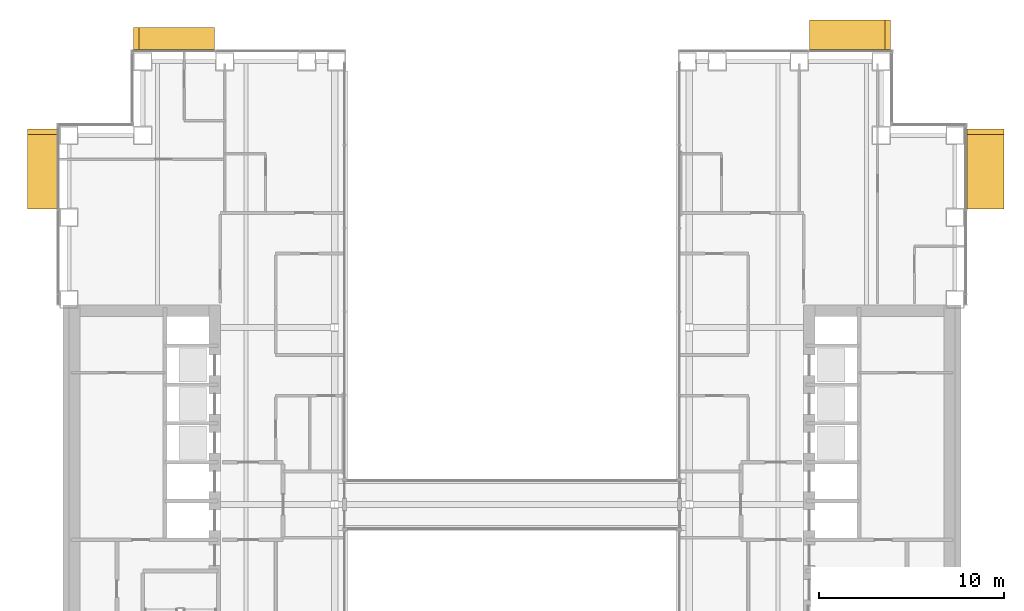
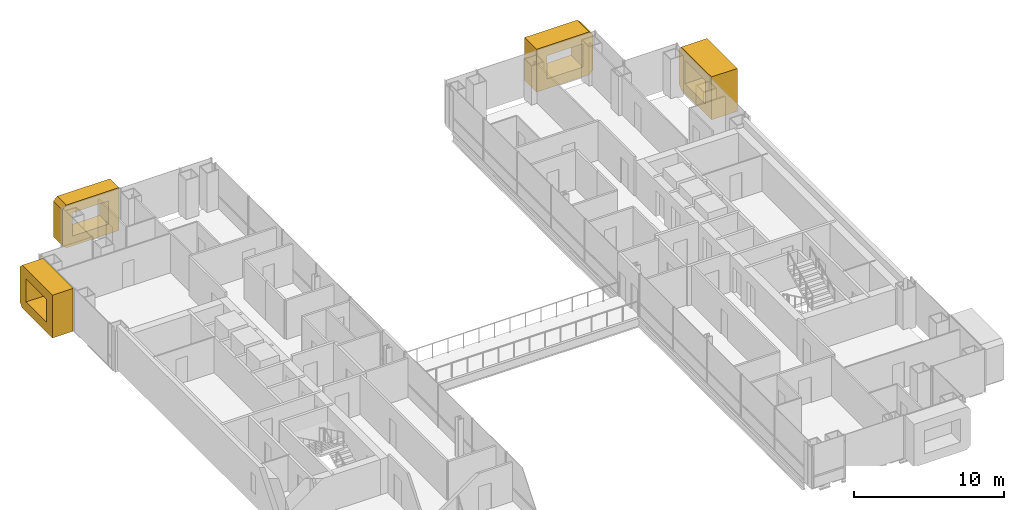
# One storey, part 20 of 21: 4 coverings.
"""IFC4 building model written with IfcOpenShell, lengths in metres."""

from ifc_helpers import new_model, si_unit, direction, frame, origin, place, context, subcontext, project, spatial, polyline, outline, extrude, material, type_object, element, save


model = new_model("IFC4")

# Units and contexts
model_context = context("Model", 3, precision=1e-05, world=origin(), true_north=direction((0.0, 1.0)))
body_context = subcontext(model_context, "Body", "Model", "MODEL_VIEW")
ifc_project = project(units=[si_unit("LENGTHUNIT", "METRE"), si_unit("AREAUNIT", "SQUARE_METRE"), si_unit("VOLUMEUNIT", "CUBIC_METRE"), si_unit("PLANEANGLEUNIT", "RADIAN"), si_unit("MASSUNIT", "GRAM", prefix="KILO")], contexts=[model_context])

# Site, building, storey
site_placement = place(None, origin())
site = spatial("IfcSite", under=ifc_project, at=site_placement, CompositionType="ELEMENT")
building_placement = place(site_placement, origin())
building = spatial("IfcBuilding", under=site, at=building_placement, Name="Cobrizo Arcos Hotel Tower", CompositionType="ELEMENT")
storey_placement = place(building_placement, frame((0.0, 0.0, 81.0)))
storey = spatial("IfcBuildingStorey", under=building, at=storey_placement, Name="L19", CompositionType="ELEMENT", Elevation=81.0)

# Coverings
ifc_material = material(Name="Aluminium 6063-T6 anodised bronze", Category="aluminium")
covering_type_1 = type_object("IfcCoveringType", Name="FIN-F 1200", PredefinedType="CLADDING", material=ifc_material)
covering_1_placement = place(storey_placement, frame((-16.125, 24.64990234375, 0.0), z_axis=(0.0, 1.0, 0.0), x_axis=(-1.0, 0.0, 0.0)))
element("IfcCovering", 1, at=covering_1_placement, inside=storey, type_object=covering_type_1, Name="Fin frame 20", PredefinedType="CLADDING", context=body_context, shape_type="SweptSolid", body=[
    extrude(outline(polyline([(0.0, 3.5), (0.0, 0.0), (4.074951171875, 0.0), (4.375, 0.300048828125), (4.375, 3.199951171875), (4.074951171875, 3.5), (0.0, 3.5)]), holes=[polyline([(3.574951171875, 0.800048828125), (0.800048828125, 0.800048828125), (0.800048828125, 2.699951171875), (3.574951171875, 2.699951171875), (3.574951171875, 0.800048828125)])]), origin(), (0.0, 0.0, 1.0), 1.2001953125),
])
covering_type_2 = type_object("IfcCoveringType", Name="FIN-F 1600", PredefinedType="CLADDING", material=ifc_material)
covering_2_placement = place(storey_placement, frame((20.5, 24.64990234375, 0.0), z_axis=(0.0, 1.0, 0.0), x_axis=(-1.0, 0.0, 0.0)))
element("IfcCovering", 2, at=covering_2_placement, inside=storey, type_object=covering_type_2, Name="Fin frame 19", PredefinedType="CLADDING", context=body_context, shape_type="SweptSolid", body=[
    extrude(outline(polyline([(0.0, 0.300048828125), (0.300048828125, 0.0), (4.375, 0.0), (4.375, 3.5), (0.300048828125, 3.5), (0.0, 3.199951171875), (0.0, 0.300048828125)]), holes=[polyline([(3.574951171875, 0.800048828125), (0.800048828125, 0.800048828125), (0.800048828125, 2.699951171875), (3.574951171875, 2.699951171875), (3.574951171875, 0.800048828125)])]), origin(), (0.0, 0.0, 1.0), 1.60009765625),
])
covering_3_placement = place(storey_placement, frame((-24.64990234375, 20.35009765625, 0.0), z_axis=(-1.0, 0.0, 0.0), x_axis=(0.0, -1.0, 0.0)))
element("IfcCovering", 3, at=covering_3_placement, inside=storey, type_object=covering_type_2, Name="Fin frame 83", PredefinedType="CLADDING", context=body_context, shape_type="SweptSolid", body=[
    extrude(outline(polyline([(0.0, 0.300048828125), (0.300048828125, 0.0), (4.341796875, 0.0), (4.341796875, 3.5), (0.300048828125, 3.5), (0.0, 3.199951171875), (0.0, 0.300048828125)]), holes=[polyline([(3.541748046875, 0.800048828125), (0.800048828125, 0.800048828125), (0.800048828125, 2.699951171875), (3.541748046875, 2.699951171875), (3.541748046875, 0.800048828125)])]), origin(), (0.0, 0.0, 1.0), 1.60009765625),
])
covering_type_3 = type_object("IfcCoveringType", Name="FIN-F 2000", PredefinedType="CLADDING", material=ifc_material)
covering_4_placement = place(storey_placement, frame((24.64990234375, 16.00830078125, 0.0), z_axis=(1.0, 0.0, 0.0), x_axis=(0.0, 1.0, 0.0)))
element("IfcCovering", 4, at=covering_4_placement, inside=storey, type_object=covering_type_3, Name="Fin frame 42", PredefinedType="CLADDING", context=body_context, shape_type="SweptSolid", body=[
    extrude(outline(polyline([(0.0, 3.5), (0.0, 0.0), (4.041748046875, 0.0), (4.341796875, 0.300048828125), (4.341796875, 3.199951171875), (4.041748046875, 3.5), (0.0, 3.5)]), holes=[polyline([(3.541748046875, 0.800048828125), (0.800048828125, 0.800048828125), (0.800048828125, 2.699951171875), (3.541748046875, 2.699951171875), (3.541748046875, 0.800048828125)])]), origin(), (0.0, 0.0, 1.0), 2.0),
])

save(model, "model.ifc")
